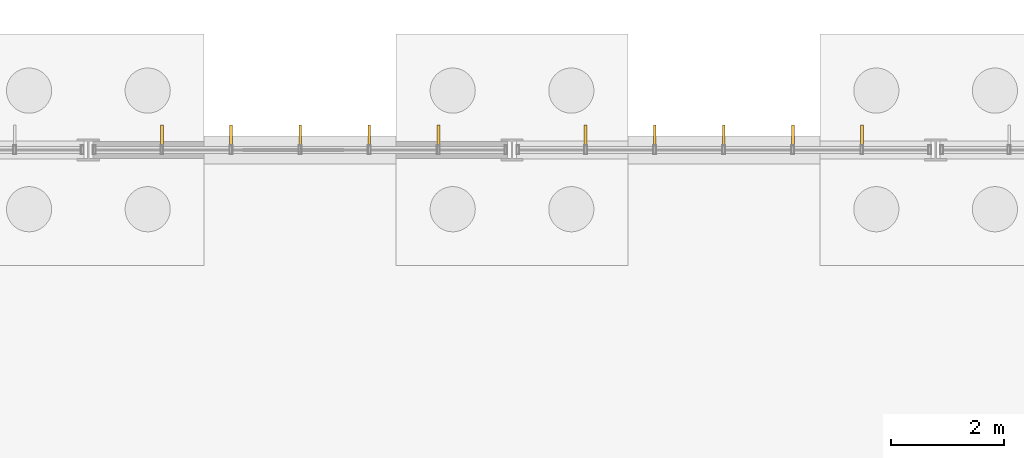
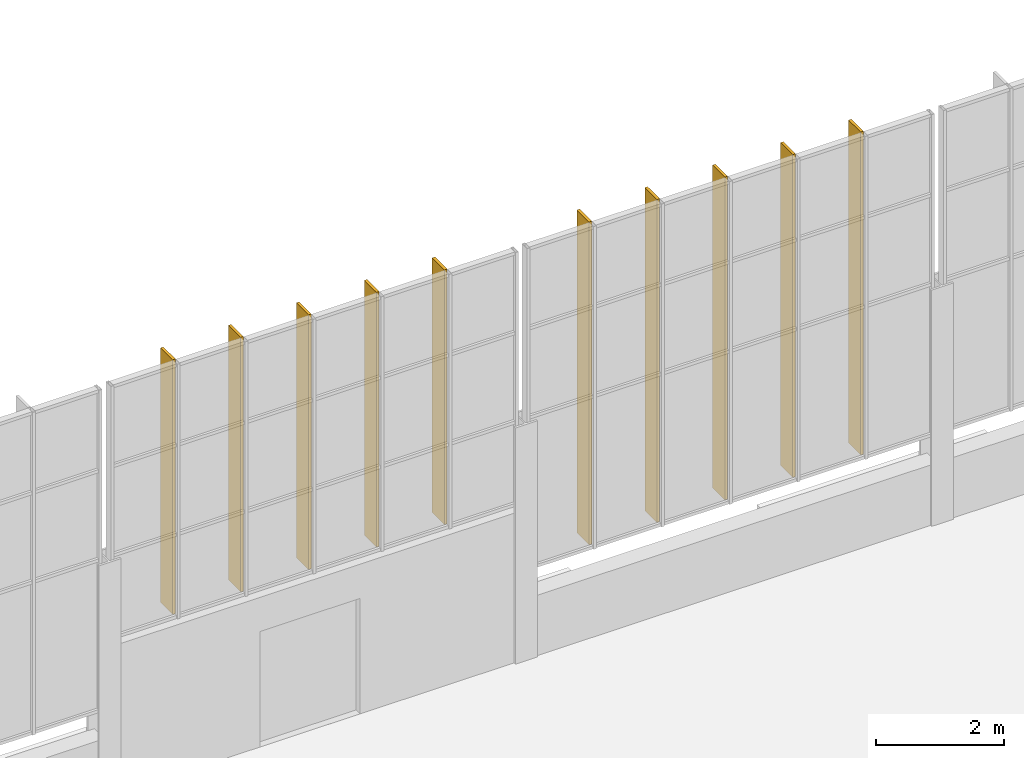
# One storey, part 130 of 136: 10 coverings.
"""IFC4 building model written with IfcOpenShell, lengths in metres."""

import ifcopenshell
import ifcopenshell.guid

model = None  # the IFC model being written
_history = None  # IfcOwnerHistory: only IFC2X3 demands one
_inside = {}  # id of a spatial element -> (the spatial element, [elements in it])
_under = {}  # id of a project, library or spatial element -> (it, [spatial elements below it])
_declared = {}  # id of a project -> (the project, [libraries it declares])
_typed = {}  # id of a type object -> (the type object, [elements of that type])
_made_of = {}  # id of a material, layer set ... -> (it, [elements and type objects made of it])


def new_model(schema):
    """Start an empty IFC model of exactly this schema.

    Asked for "IFC4X3", IfcOpenShell would pick the latest addendum, in which some entities
    have other attributes; the version numbers below select the first issue.
    IFC2X3 requires an IfcOwnerHistory on every rooted entity: one is made here for all.
    """
    global model, _history
    if schema == "IFC4X3":
        model = ifcopenshell.file(schema_version=(4, 3, 0, 0))
    else:
        model = ifcopenshell.file(schema=schema)
    _inside.clear()
    _under.clear()
    _declared.clear()
    _typed.clear()
    _made_of.clear()
    _history = None
    if model.schema == "IFC2X3":
        org = make("IfcOrganization", Name="unknown")
        user = make(
            "IfcPersonAndOrganization",
            ThePerson=make("IfcPerson", FamilyName="unknown"),
            TheOrganization=org,
        )
        app = make(
            "IfcApplication",
            ApplicationDeveloper=org,
            Version="unknown",
            ApplicationFullName="unknown",
            ApplicationIdentifier="unknown",
        )
        _history = make(
            "IfcOwnerHistory",
            OwningUser=user,
            OwningApplication=app,
            ChangeAction="ADDED",
            CreationDate=0,
        )
    return model


def make(cls, **values):
    """One entity of the class cls with the attributes given. An attribute that is None is left unset."""
    return model.create_entity(
        cls, **{name: value for name, value in values.items() if value is not None}
    )


def rooted(cls, **values):
    """An entity with a GlobalId (a new one), such as an element, a storey or a relation."""
    return make(cls, GlobalId=ifcopenshell.guid.new(), OwnerHistory=_history, **values)


def si_unit(unit_type, name, prefix=None):
    """IfcSIUnit, for example si_unit("LENGTHUNIT", "METRE", prefix="MILLI")."""
    return make("IfcSIUnit", UnitType=unit_type, Prefix=prefix, Name=name)


def assignment(units):
    """IfcUnitAssignment: the units of a project."""
    return None if units is None else make("IfcUnitAssignment", Units=units)


def point(xyz):
    """IfcCartesianPoint."""
    return None if xyz is None else make("IfcCartesianPoint", Coordinates=xyz)


def direction(xyz):
    """IfcDirection."""
    return None if xyz is None else make("IfcDirection", DirectionRatios=xyz)


def frame(location, z_axis=None, x_axis=None):
    """IfcAxis2Placement3D, a coordinate frame: its origin and axes. An axis left out is left unset."""
    return make(
        "IfcAxis2Placement3D",
        Location=point(location),
        Axis=direction(z_axis),
        RefDirection=direction(x_axis),
    )


def frame_2d(location, x_axis=None):
    """IfcAxis2Placement2D, a coordinate frame in the plane: its origin and x axis."""
    return make(
        "IfcAxis2Placement2D", Location=point(location), RefDirection=direction(x_axis)
    )


def origin():
    """The frame at (0, 0, 0) with its axes left unset."""
    return frame((0.0, 0.0, 0.0))


def origin_2d():
    """The frame at (0, 0) in the plane with its x axis left unset."""
    return frame_2d((0.0, 0.0))


def place(relative_to, where):
    """IfcLocalPlacement: puts the frame where relative to a parent placement (None: the world)."""
    return make(
        "IfcLocalPlacement", PlacementRelTo=relative_to, RelativePlacement=where
    )


def context(
    kind, dimensions, precision=None, world=None, true_north=None, identifier=None
):
    """IfcGeometricRepresentationContext, for example the 3D "Model" context."""
    return make(
        "IfcGeometricRepresentationContext",
        ContextIdentifier=identifier,
        ContextType=kind,
        CoordinateSpaceDimension=dimensions,
        Precision=precision,
        WorldCoordinateSystem=world,
        TrueNorth=true_north,
    )


def subcontext(parent, identifier, kind, view, scale=None):
    """IfcGeometricRepresentationSubContext, for example "Body" below "Model"."""
    return make(
        "IfcGeometricRepresentationSubContext",
        ContextIdentifier=identifier,
        ContextType=kind,
        ParentContext=parent,
        TargetScale=scale,
        TargetView=view,
    )


def project(units=None, contexts=None):
    """IfcProject with its units and contexts."""
    return rooted(
        "IfcProject",
        Name="project",
        RepresentationContexts=contexts,
        UnitsInContext=assignment(units),
    )


def spatial(cls, under=None, at=None, **own):
    """A site, building, storey or space (cls), placed at a placement, below another one or the project."""
    s = rooted(cls, ObjectPlacement=at, **own)
    if under is not None:
        _under.setdefault(under.id(), (under, []))[1].append(s)
    return s


def profile(cls, at=None, kind="AREA", **sizes):
    """A parametric profile (cls). Its sizes go by their IFC names, for example OverallWidth=200.0."""
    return make(cls, ProfileType=kind, Position=at, **sizes)


def rectangle(**sizes):
    """IfcRectangleProfileDef."""
    return profile("IfcRectangleProfileDef", **sizes)


def extrude(swept, where, along, depth):
    """IfcExtrudedAreaSolid: the profile swept, set in the frame where, extruded along a direction by depth."""
    return make(
        "IfcExtrudedAreaSolid",
        SweptArea=swept,
        Position=where,
        ExtrudedDirection=direction(along),
        Depth=depth,
    )


def shape(context_of_items, identifier, shape_type, items):
    """IfcShapeRepresentation: the items that make up one representation, for example the "Body"."""
    return make(
        "IfcShapeRepresentation",
        ContextOfItems=context_of_items,
        RepresentationIdentifier=identifier,
        RepresentationType=shape_type,
        Items=items,
    )


def material(Name=None, Category=None):
    """IfcMaterial."""
    return make("IfcMaterial", Name=Name, Category=Category)


def layer(
    of_material, thickness, ventilated=None, Name=None, Category=None, Priority=None
):
    """IfcMaterialLayer: one layer of a wall or slab, of a material (None: an air gap)."""
    return make(
        "IfcMaterialLayer",
        Material=of_material,
        LayerThickness=thickness,
        IsVentilated=ventilated,
        Name=Name,
        Category=Category,
        Priority=Priority,
    )


def layer_set(layers, Name=None):
    """IfcMaterialLayerSet."""
    return make("IfcMaterialLayerSet", MaterialLayers=layers, LayerSetName=Name)


def made_of(thing, what):
    """Note that an element or type object is made of a material, layer set ...; save() writes the relation."""
    if what is not None:
        _made_of.setdefault(what.id(), (what, []))[1].append(thing)
    return thing


def type_object(cls, material=None, **own):
    """A type object (cls), such as IfcWallType, which elements share."""
    return made_of(rooted(cls, **own), material)


def element(
    cls,
    number,
    at=None,
    inside=None,
    cuts=None,
    type_object=None,
    material=None,
    context=None,
    identifier="Body",
    shape_type=None,
    held_by="IfcProductDefinitionShape",
    body=None,
    shapes=None,
    **own,
):
    """One element of the class cls, such as IfcWall. Its Tag is "e" and its number.

    at: its placement. inside: the storey or other place that contains it. cuts: it is an
    opening in that element (IfcRelVoidsElement). A single representation is given by context,
    identifier, shape_type and body (its items); several are given by shapes. held_by: the class
    of the entity that holds the representations. save() writes the other relations.
    """
    e = rooted(cls, Tag="e%d" % number, ObjectPlacement=at, **own)
    if body is not None:
        shapes = [shape(context, identifier, shape_type, body)]
    if shapes is not None:
        e.Representation = make(held_by, Representations=shapes)
    if inside is not None:
        _inside.setdefault(inside.id(), (inside, []))[1].append(e)
    if cuts is not None:
        rooted(
            "IfcRelVoidsElement", RelatingBuildingElement=cuts, RelatedOpeningElement=e
        )
    if type_object is not None:
        _typed.setdefault(type_object.id(), (type_object, []))[1].append(e)
    return made_of(e, material)


def aggregate(whole, parts):
    """IfcRelAggregates: a whole, such as a stair, and the parts it consists of."""
    return rooted("IfcRelAggregates", RelatingObject=whole, RelatedObjects=parts)


def save(model, path):
    """Write the relations noted so far, then the file.

    IfcRelAggregates (storeys below a building ...), IfcRelContainedInSpatialStructure (elements
    in a storey), IfcRelDefinesByType, IfcRelAssociatesMaterial and IfcRelDeclares: one each for
    every whole, place, type object, material and project.
    """
    for whole, parts in _under.values():
        aggregate(whole, parts)
    for where, things in _inside.values():
        rooted(
            "IfcRelContainedInSpatialStructure",
            RelatedElements=things,
            RelatingStructure=where,
        )
    for kind, things in _typed.values():
        rooted("IfcRelDefinesByType", RelatedObjects=things, RelatingType=kind)
    for what, things in _made_of.values():
        rooted("IfcRelAssociatesMaterial", RelatedObjects=things, RelatingMaterial=what)
    for by, libraries in _declared.values():
        rooted("IfcRelDeclares", RelatingContext=by, RelatedDefinitions=libraries)
    model.write(path)


model = new_model("IFC4")

# Units and contexts
model_context = context("Model", 3, precision=1e-05, world=origin(), true_north=direction((0.0, 1.0)))
body_context = subcontext(model_context, "Body", "Model", "MODEL_VIEW")
ifc_project = project(units=[si_unit("LENGTHUNIT", "METRE"), si_unit("AREAUNIT", "SQUARE_METRE"), si_unit("VOLUMEUNIT", "CUBIC_METRE"), si_unit("PLANEANGLEUNIT", "RADIAN"), si_unit("MASSUNIT", "GRAM", prefix="KILO")], contexts=[model_context])

# Site, building, storey
site_placement = place(None, origin())
site = spatial("IfcSite", under=ifc_project, at=site_placement, CompositionType="ELEMENT")
building_placement = place(site_placement, origin())
building = spatial("IfcBuilding", under=site, at=building_placement, Name="Solvenia Promenade Tram Depot", CompositionType="ELEMENT")
storey_placement = place(building_placement, origin())
storey = spatial("IfcBuildingStorey", under=building, at=storey_placement, Name="L00", CompositionType="ELEMENT", Elevation=0.0)

# Coverings
ifc_material = material(Name="Anodized aluminium AW-6063 T6", Category="aluminium")
ifc_layer = layer(ifc_material, 0.050048828125, Name="Anodized aluminium AW-6063 T6", Category="aluminium")
ifc_layer_set = layer_set([ifc_layer], Name="Anodized aluminium AW-6063 T6")
covering_type = type_object("IfcCoveringType", Name="Fin-Shade-380", PredefinedType="CLADDING", material=ifc_layer_set)
for number, where, z_axis, x_axis, name in (
    (1, (113.80322265625, 126.2548828125, 2.89990234375), (0.0, 0.0, 1.0), (1.0, 0.0, 0.0), "Channel-Glass Vertical Shading Rib 076"),
    (2, (115.026611328125, 126.2548828125, 2.89990234375), (0.0, 0.0, 1.0), (1.0, 0.0, 0.0), "Channel-Glass Vertical Shading Rib 077"),
    (3, (116.25, 126.2548828125, 2.89990234375), (0.0, 0.0, 1.0), (1.0, 0.0, 0.0), "Channel-Glass Vertical Shading Rib 078"),
    (4, (117.473388671875, 126.2548828125, 2.89990234375), (0.0, 0.0, 1.0), (1.0, 0.0, 0.0), "Channel-Glass Vertical Shading Rib 079"),
    (5, (118.69677734375, 126.2548828125, 2.89990234375), (0.0, 0.0, 1.0), (1.0, 0.0, 0.0), "Channel-Glass Vertical Shading Rib 080"),
):
    element("IfcCovering", number, at=place(storey_placement, frame(where, z_axis=z_axis, x_axis=x_axis)), inside=storey, type_object=covering_type, Name=name, PredefinedType="CLADDING", context=body_context, shape_type="SweptSolid", body=[
        extrude(rectangle(XDim=0.050048828125, YDim=0.3798828125, at=origin_2d()), origin(), (0.0, 0.0, 1.0), 4.85009765625),
    ])
for number, where, z_axis, x_axis, name in (
    (6, (121.30322265625, 126.2548828125, 1.60009765625), (0.0, 0.0, 1.0), (1.0, 0.0, 0.0), "Channel-Glass Vertical Shading Rib 081"),
    (7, (122.526611328125, 126.2548828125, 1.60009765625), (0.0, 0.0, 1.0), (1.0, 0.0, 0.0), "Channel-Glass Vertical Shading Rib 082"),
    (8, (123.75, 126.2548828125, 1.60009765625), (0.0, 0.0, 1.0), (1.0, 0.0, 0.0), "Channel-Glass Vertical Shading Rib 083"),
    (9, (124.973388671875, 126.2548828125, 1.60009765625), (0.0, 0.0, 1.0), (1.0, 0.0, 0.0), "Channel-Glass Vertical Shading Rib 084"),
    (10, (126.19677734375, 126.2548828125, 1.60009765625), (0.0, 0.0, 1.0), (1.0, 0.0, 0.0), "Channel-Glass Vertical Shading Rib 085"),
):
    element("IfcCovering", number, at=place(storey_placement, frame(where, z_axis=z_axis, x_axis=x_axis)), inside=storey, type_object=covering_type, Name=name, PredefinedType="CLADDING", context=body_context, shape_type="SweptSolid", body=[
        extrude(rectangle(XDim=0.050048828125, YDim=0.3798828125, at=origin_2d()), origin(), (0.0, 0.0, 1.0), 6.14990234375),
    ])

save(model, "model.ifc")
